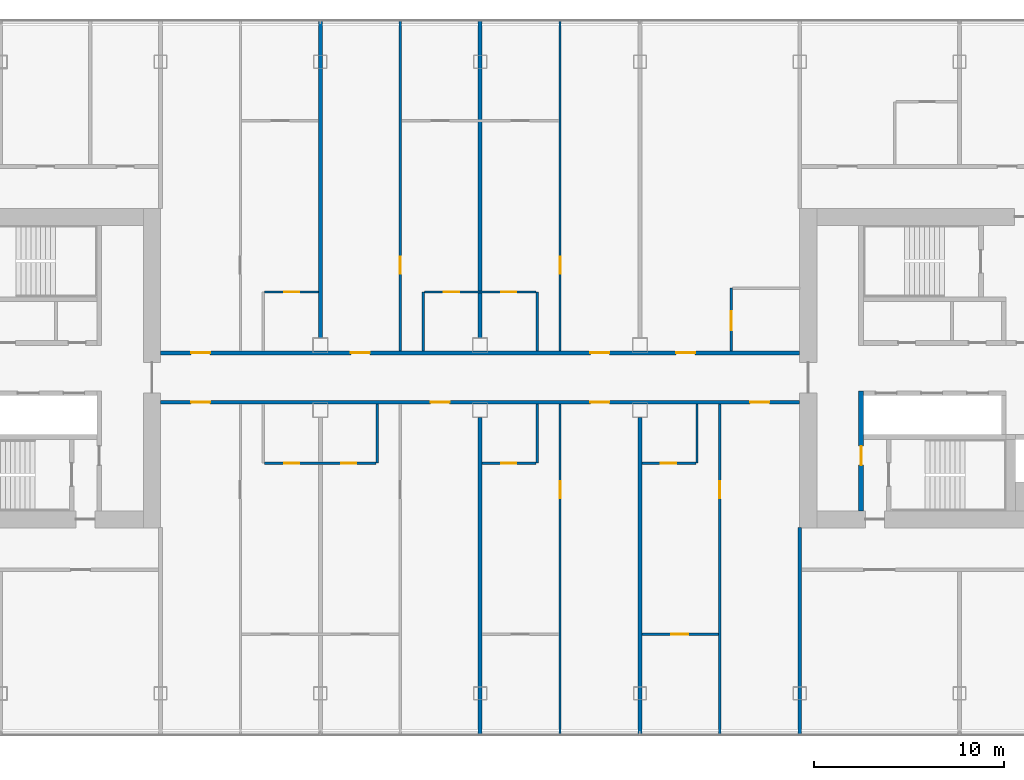
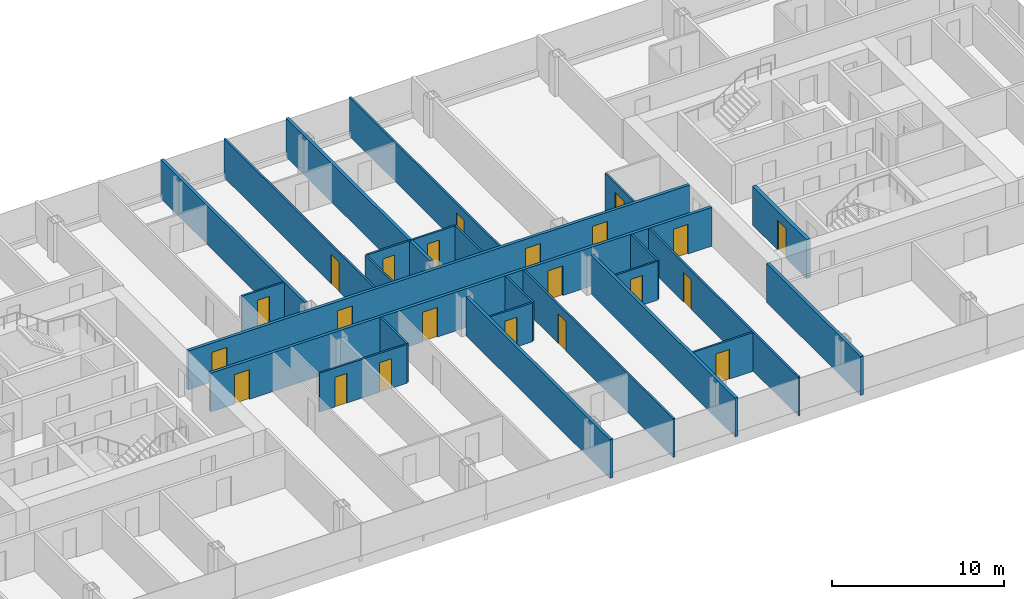
# One storey, part 14 of 26: 24 walls, 22 doors, 22 openings.
"""IFC4 building model written with IfcOpenShell, lengths in metres."""

from ifc_helpers import new_model, si_unit, direction, frame, frame_2d, origin, place, context, subcontext, project, spatial, rectangle, extrude, material, layer, layer_set, type_object, element, fill, save


model = new_model("IFC4")

# Units and contexts
model_context = context("Model", 3, precision=1e-05, world=origin(), true_north=direction((0.0, 1.0)))
body_context = subcontext(model_context, "Body", "Model", "MODEL_VIEW")
ifc_project = project(units=[si_unit("LENGTHUNIT", "METRE"), si_unit("AREAUNIT", "SQUARE_METRE"), si_unit("VOLUMEUNIT", "CUBIC_METRE"), si_unit("PLANEANGLEUNIT", "RADIAN"), si_unit("MASSUNIT", "GRAM", prefix="KILO")], contexts=[model_context])

# Site, building, storey
site_placement = place(None, origin())
site = spatial("IfcSite", under=ifc_project, at=site_placement, CompositionType="ELEMENT")
building_placement = place(site_placement, origin())
building = spatial("IfcBuilding", under=site, at=building_placement, Name="Hakoniwa Tower and Hamabe Station Hall", CompositionType="ELEMENT")
storey_placement = place(building_placement, frame((0.0, 0.0, 159.800048828125)))
storey = spatial("IfcBuildingStorey", under=building, at=storey_placement, Name="L45", CompositionType="ELEMENT", Elevation=159.800048828125)

# Wall, openings, doors
ifc_material_1 = material(Name="Gypsum board partition", Category="gypsum")
ifc_layer_1 = layer(ifc_material_1, 0.125)
ifc_layer_set_1 = layer_set([ifc_layer_1], Name="Bathroom Partition 125")
wall_type_1 = type_object("IfcWallType", Name="Bathroom Partition 125", PredefinedType="PARTITIONING", material=ifc_layer_set_1)
wall_1_placement = place(storey_placement, frame((-11.33740234375, -5.0, 0.0), z_axis=(0.0, 0.0, 1.0), x_axis=(1.0, 0.0, 0.0)))
wall_1 = element("IfcWall", 1, at=wall_1_placement, inside=storey, type_object=wall_type_1, Name="GW-L45-008", PredefinedType="PARTITIONING", context=body_context, shape_type="SweptSolid", body=[
    extrude(rectangle(XDim=5.875, YDim=0.125, at=frame_2d((2.9375, 0.0))), origin(), (0.0, 0.0, 1.0), 2.75),
])
opening_1_placement = place(wall_1_placement, frame((1.03759765625, 0.0, 0.0)))
opening_1 = element("IfcOpeningElement", 2, at=opening_1_placement, cuts=wall_1, Name="Opening GD-G3E1-17", PredefinedType="OPENING", context=body_context, shape_type="SweptSolid", body=[
    extrude(rectangle(XDim=0.800048828125, YDim=2.10009765625, at=frame_2d((0.39990234375, 1.050048828125))), frame((0.0, 0.072509765625, 0.0), z_axis=(0.0, -1.0, 0.0), x_axis=(1.0, 0.0, 0.0)), (0.0, 0.0, 1.0), 0.14501953125),
])
opening_2_placement = place(wall_1_placement, frame((4.03759765625, 0.0, 0.0)))
opening_2 = element("IfcOpeningElement", 3, at=opening_2_placement, cuts=wall_1, Name="Opening GD-G3E1-18", PredefinedType="OPENING", context=body_context, shape_type="SweptSolid", body=[
    extrude(rectangle(XDim=0.800048828125, YDim=2.10009765625, at=frame_2d((0.39990234375, 1.050048828125))), frame((0.0, 0.072509765625, 0.0), z_axis=(0.0, -1.0, 0.0), x_axis=(1.0, 0.0, 0.0)), (0.0, 0.0, 1.0), 0.14501953125),
])
ifc_material_2 = material(Name="Timber door leaf", Category="wood")
door_type_1 = type_object("IfcDoorType", Name="Bathroom Door 800", OperationType="SINGLE_SWING_LEFT", PredefinedType="DOOR", material=ifc_material_2)
door_1_placement = place(opening_1_placement, origin())
door_1 = element("IfcDoor", 4, at=door_1_placement, inside=storey, type_object=door_type_1, Name="Door GD-G3E1-17", OperationType="SINGLE_SWING_RIGHT", OverallHeight=2.10009765625, OverallWidth=0.800048828125, PredefinedType="DOOR", context=body_context, shape_type="SweptSolid", body=[
    extrude(rectangle(XDim=0.800048828125, YDim=2.10009765625, at=frame_2d((0.39990234375, 1.050048828125))), frame((0.0, 0.02490234375, 0.0), z_axis=(0.0, -1.0, 0.0), x_axis=(1.0, 0.0, 0.0)), (0.0, 0.0, 1.0), 0.050048828125),
])
fill(opening_1, door_1)
door_2_placement = place(opening_2_placement, origin())
door_2 = element("IfcDoor", 5, at=door_2_placement, inside=storey, type_object=door_type_1, Name="Door GD-G3E1-18", OperationType="SINGLE_SWING_LEFT", OverallHeight=2.10009765625, OverallWidth=0.800048828125, PredefinedType="DOOR", context=body_context, shape_type="SweptSolid", body=[
    extrude(rectangle(XDim=0.800048828125, YDim=2.10009765625, at=frame_2d((0.39990234375, 1.050048828125))), frame((0.0, 0.02490234375, 0.0), z_axis=(0.0, -1.0, 0.0), x_axis=(1.0, 0.0, 0.0)), (0.0, 0.0, 1.0), 0.050048828125),
])
fill(opening_2, door_2)

# Wall, opening, door
wall_2_placement = place(storey_placement, frame((0.10009765625, -5.0, 0.0), z_axis=(0.0, 0.0, 1.0), x_axis=(1.0, 0.0, 0.0)))
wall_2 = element("IfcWall", 6, at=wall_2_placement, inside=storey, type_object=wall_type_1, Name="GW-L45-009", PredefinedType="PARTITIONING", context=body_context, shape_type="SweptSolid", body=[
    extrude(rectangle(XDim=2.83740234375, YDim=0.125, at=frame_2d((1.418701171875, 0.0))), origin(), (0.0, 0.0, 1.0), 2.75),
])
opening_3_placement = place(wall_2_placement, frame((1.0, 0.0, 0.0)))
opening_3 = element("IfcOpeningElement", 7, at=opening_3_placement, cuts=wall_2, Name="Opening GD-G3E1-19", PredefinedType="OPENING", context=body_context, shape_type="SweptSolid", body=[
    extrude(rectangle(XDim=0.800048828125, YDim=2.10009765625, at=frame_2d((0.39990234375, 1.050048828125))), frame((0.0, 0.072509765625, 0.0), z_axis=(0.0, -1.0, 0.0), x_axis=(1.0, 0.0, 0.0)), (0.0, 0.0, 1.0), 0.14501953125),
])
door_3_placement = place(opening_3_placement, origin())
door_3 = element("IfcDoor", 8, at=door_3_placement, inside=storey, type_object=door_type_1, Name="Door GD-G3E1-19", OperationType="SINGLE_SWING_RIGHT", OverallHeight=2.10009765625, OverallWidth=0.800048828125, PredefinedType="DOOR", context=body_context, shape_type="SweptSolid", body=[
    extrude(rectangle(XDim=0.800048828125, YDim=2.10009765625, at=frame_2d((0.39990234375, 1.050048828125))), frame((0.0, 0.02490234375, 0.0), z_axis=(0.0, -1.0, 0.0), x_axis=(1.0, 0.0, 0.0)), (0.0, 0.0, 1.0), 0.050048828125),
])
fill(opening_3, door_3)

wall_3_placement = place(storey_placement, frame((8.5, -5.0, 0.0), z_axis=(0.0, 0.0, 1.0), x_axis=(1.0, 0.0, 0.0)))
wall_3 = element("IfcWall", 9, at=wall_3_placement, inside=storey, type_object=wall_type_1, Name="GW-L45-010", PredefinedType="PARTITIONING", context=body_context, shape_type="SweptSolid", body=[
    extrude(rectangle(XDim=2.83740234375, YDim=0.125, at=frame_2d((1.418701171875, 0.0))), origin(), (0.0, 0.0, 1.0), 2.75),
])
opening_4_placement = place(wall_3_placement, frame((1.0, 0.0, 0.0)))
opening_4 = element("IfcOpeningElement", 10, at=opening_4_placement, cuts=wall_3, Name="Opening GD-G3E1-20", PredefinedType="OPENING", context=body_context, shape_type="SweptSolid", body=[
    extrude(rectangle(XDim=0.800048828125, YDim=2.10009765625, at=frame_2d((0.39990234375, 1.050048828125))), frame((0.0, 0.072509765625, 0.0), z_axis=(0.0, -1.0, 0.0), x_axis=(1.0, 0.0, 0.0)), (0.0, 0.0, 1.0), 0.14501953125),
])
door_4_placement = place(opening_4_placement, origin())
door_4 = element("IfcDoor", 11, at=door_4_placement, inside=storey, type_object=door_type_1, Name="Door GD-G3E1-20", OperationType="SINGLE_SWING_RIGHT", OverallHeight=2.10009765625, OverallWidth=0.800048828125, PredefinedType="DOOR", context=body_context, shape_type="SweptSolid", body=[
    extrude(rectangle(XDim=0.800048828125, YDim=2.10009765625, at=frame_2d((0.39990234375, 1.050048828125))), frame((0.0, 0.02490234375, 0.0), z_axis=(0.0, -1.0, 0.0), x_axis=(1.0, 0.0, 0.0)), (0.0, 0.0, 1.0), 0.050048828125),
])
fill(opening_4, door_4)

wall_4_placement = place(storey_placement, frame((-11.33740234375, 4.0, 0.0), z_axis=(0.0, 0.0, 1.0), x_axis=(1.0, 0.0, 0.0)))
wall_4 = element("IfcWall", 12, at=wall_4_placement, inside=storey, type_object=wall_type_1, Name="GW-L45-015", PredefinedType="PARTITIONING", context=body_context, shape_type="SweptSolid", body=[
    extrude(rectangle(XDim=2.83740234375, YDim=0.125, at=frame_2d((1.418701171875, 0.0))), origin(), (0.0, 0.0, 1.0), 2.75),
])
opening_5_placement = place(wall_4_placement, frame((1.03759765625, 0.0, 0.0)))
opening_5 = element("IfcOpeningElement", 13, at=opening_5_placement, cuts=wall_4, Name="Opening GD-G3E1-29", PredefinedType="OPENING", context=body_context, shape_type="SweptSolid", body=[
    extrude(rectangle(XDim=0.800048828125, YDim=2.10009765625, at=frame_2d((0.39990234375, 1.050048828125))), frame((0.0, 0.072509765625, 0.0), z_axis=(0.0, -1.0, 0.0), x_axis=(1.0, 0.0, 0.0)), (0.0, 0.0, 1.0), 0.14501953125),
])
door_5_placement = place(opening_5_placement, origin())
door_5 = element("IfcDoor", 14, at=door_5_placement, inside=storey, type_object=door_type_1, Name="Door GD-G3E1-29", OperationType="SINGLE_SWING_RIGHT", OverallHeight=2.10009765625, OverallWidth=0.800048828125, PredefinedType="DOOR", context=body_context, shape_type="SweptSolid", body=[
    extrude(rectangle(XDim=0.800048828125, YDim=2.10009765625, at=frame_2d((0.39990234375, 1.050048828125))), frame((0.0, 0.02490234375, 0.0), z_axis=(0.0, -1.0, 0.0), x_axis=(1.0, 0.0, 0.0)), (0.0, 0.0, 1.0), 0.050048828125),
])
fill(opening_5, door_5)

# Wall, openings, doors
wall_5_placement = place(storey_placement, frame((-2.9375, 4.0, 0.0), z_axis=(0.0, 0.0, 1.0), x_axis=(1.0, 0.0, 0.0)))
wall_5 = element("IfcWall", 15, at=wall_5_placement, inside=storey, type_object=wall_type_1, Name="GW-L45-016", PredefinedType="PARTITIONING", context=body_context, shape_type="SweptSolid", body=[
    extrude(rectangle(XDim=5.875, YDim=0.125, at=frame_2d((2.9375, 0.0))), origin(), (0.0, 0.0, 1.0), 2.75),
])
opening_6_placement = place(wall_5_placement, frame((1.03759765625, 0.0, 0.0)))
opening_6 = element("IfcOpeningElement", 16, at=opening_6_placement, cuts=wall_5, Name="Opening GD-G3E1-30", PredefinedType="OPENING", context=body_context, shape_type="SweptSolid", body=[
    extrude(rectangle(XDim=0.800048828125, YDim=2.10009765625, at=frame_2d((0.39990234375, 1.050048828125))), frame((0.0, 0.072509765625, 0.0), z_axis=(0.0, -1.0, 0.0), x_axis=(1.0, 0.0, 0.0)), (0.0, 0.0, 1.0), 0.14501953125),
])
opening_7_placement = place(wall_5_placement, frame((4.03759765625, 0.0, 0.0)))
opening_7 = element("IfcOpeningElement", 17, at=opening_7_placement, cuts=wall_5, Name="Opening GD-G3E1-31", PredefinedType="OPENING", context=body_context, shape_type="SweptSolid", body=[
    extrude(rectangle(XDim=0.800048828125, YDim=2.10009765625, at=frame_2d((0.39990234375, 1.050048828125))), frame((0.0, 0.072509765625, 0.0), z_axis=(0.0, -1.0, 0.0), x_axis=(1.0, 0.0, 0.0)), (0.0, 0.0, 1.0), 0.14501953125),
])
door_6_placement = place(opening_6_placement, origin())
door_6 = element("IfcDoor", 18, at=door_6_placement, inside=storey, type_object=door_type_1, Name="Door GD-G3E1-30", OperationType="SINGLE_SWING_RIGHT", OverallHeight=2.10009765625, OverallWidth=0.800048828125, PredefinedType="DOOR", context=body_context, shape_type="SweptSolid", body=[
    extrude(rectangle(XDim=0.800048828125, YDim=2.10009765625, at=frame_2d((0.39990234375, 1.050048828125))), frame((0.0, 0.02490234375, 0.0), z_axis=(0.0, -1.0, 0.0), x_axis=(1.0, 0.0, 0.0)), (0.0, 0.0, 1.0), 0.050048828125),
])
fill(opening_6, door_6)
door_7_placement = place(opening_7_placement, origin())
door_7 = element("IfcDoor", 19, at=door_7_placement, inside=storey, type_object=door_type_1, Name="Door GD-G3E1-31", OperationType="SINGLE_SWING_LEFT", OverallHeight=2.10009765625, OverallWidth=0.800048828125, PredefinedType="DOOR", context=body_context, shape_type="SweptSolid", body=[
    extrude(rectangle(XDim=0.800048828125, YDim=2.10009765625, at=frame_2d((0.39990234375, 1.050048828125))), frame((0.0, 0.02490234375, 0.0), z_axis=(0.0, -1.0, 0.0), x_axis=(1.0, 0.0, 0.0)), (0.0, 0.0, 1.0), 0.050048828125),
])
fill(opening_7, door_7)

# Walls
for number, where, z_axis, x_axis, name in (
    (20, (-5.39990234375, -5.0, 0.0), (0.0, 0.0, 1.0), (0.0, 1.0, 0.0), "GW-L45-045"),
    (21, (-3.0, 0.89990234375, 0.0), (0.0, 0.0, 1.0), (0.0, 1.0, 0.0), "GW-L45-048"),
    (22, (3.0, -5.0, 0.0), (0.0, 0.0, 1.0), (0.0, 1.0, 0.0), "GW-L45-051"),
    (23, (3.0, 0.89990234375, 0.0), (0.0, 0.0, 1.0), (0.0, 1.0, 0.0), "GW-L45-052"),
    (24, (11.39990234375, -5.0, 0.0), (0.0, 0.0, 1.0), (0.0, 1.0, 0.0), "GW-L45-057"),
):
    element("IfcWall", number, at=place(storey_placement, frame(where, z_axis=z_axis, x_axis=x_axis)), inside=storey, type_object=wall_type_1, Name=name, PredefinedType="PARTITIONING", context=body_context, shape_type="SweptSolid", body=[
        extrude(rectangle(XDim=3.10009765625, YDim=0.125, at=frame_2d((1.550048828125, 0.0))), origin(), (0.0, 0.0, 1.0), 2.75),
    ])

# Wall, opening, door
wall_6_placement = place(storey_placement, frame((13.199951171875, 0.89990234375, 0.0), z_axis=(0.0, 0.0, 1.0), x_axis=(0.0, 1.0, 0.0)))
wall_6 = element("IfcWall", 25, at=wall_6_placement, inside=storey, type_object=wall_type_1, Name="GW-L45-059", PredefinedType="PARTITIONING", context=body_context, shape_type="SweptSolid", body=[
    extrude(rectangle(XDim=3.300048828125, YDim=0.125, at=frame_2d((1.64990234375, 0.0))), origin(), (0.0, 0.0, 1.0), 2.75),
])
opening_8_placement = place(wall_6_placement, frame((1.10009765625, 0.0, 0.0)))
opening_8 = element("IfcOpeningElement", 26, at=opening_8_placement, cuts=wall_6, Name="Opening GD-G3E1-57", PredefinedType="OPENING", context=body_context, shape_type="SweptSolid", body=[
    extrude(rectangle(XDim=1.0, YDim=2.10009765625, at=frame_2d((0.5, 1.050048828125))), frame((0.0, 0.072509765625, 0.0), z_axis=(0.0, -1.0, 0.0), x_axis=(1.0, 0.0, 0.0)), (0.0, 0.0, 1.0), 0.14501953125),
])
ifc_material_3 = material(Name="Timber door leaf", Category="wood")
door_type_2 = type_object("IfcDoorType", Name="Accessible Bathroom Door 1000", OperationType="SINGLE_SWING_LEFT", PredefinedType="DOOR", material=ifc_material_3)
door_8_placement = place(opening_8_placement, origin())
door_8 = element("IfcDoor", 27, at=door_8_placement, inside=storey, type_object=door_type_2, Name="Door GD-G3E1-57", OperationType="SINGLE_SWING_LEFT", OverallHeight=2.10009765625, OverallWidth=1.0, PredefinedType="DOOR", context=body_context, shape_type="SweptSolid", body=[
    extrude(rectangle(XDim=1.0, YDim=2.10009765625, at=frame_2d((0.5, 1.050048828125))), frame((0.0, 0.02490234375, 0.0), z_axis=(0.0, -1.0, 0.0), x_axis=(1.0, 0.0, 0.0)), (0.0, 0.0, 1.0), 0.050048828125),
])
fill(opening_8, door_8)

ifc_material_4 = material(Name="Concrete C66", Category="concrete")
ifc_layer_2 = layer(ifc_material_4, 0.25)
ifc_layer_set_2 = layer_set([ifc_layer_2], Name="CORE WEB WALL 250 C66")
wall_type_2 = type_object("IfcWallType", Name="CORE WEB WALL 250 C66", PredefinedType="SHEAR", material=ifc_layer_set_2)
wall_7_placement = place(storey_placement, frame((20.02490234375, -7.5, 0.0), z_axis=(0.0, 0.0, 1.0), x_axis=(0.0, 1.0, 0.0)))
wall_7 = element("IfcWall", 28, at=wall_7_placement, inside=storey, type_object=wall_type_2, Name="Core wall W1S east", PredefinedType="SHEAR", context=body_context, shape_type="SweptSolid", body=[
    extrude(rectangle(XDim=6.300048828125, YDim=0.25, at=frame_2d((3.14990234375, 0.0))), origin(), (0.0, 0.0, 1.0), 2.75),
])
opening_9_placement = place(wall_7_placement, frame((2.39990234375, 0.0, 0.0)))
opening_9 = element("IfcOpeningElement", 29, at=opening_9_placement, cuts=wall_7, Name="Opening CD-E-VS-10", PredefinedType="OPENING", context=body_context, shape_type="SweptSolid", body=[
    extrude(rectangle(XDim=1.0, YDim=2.10009765625, at=frame_2d((0.5, 1.050048828125))), frame((0.0, 0.135009765625, 0.0), z_axis=(0.0, -1.0, 0.0), x_axis=(1.0, 0.0, 0.0)), (0.0, 0.0, 1.0), 0.27001953125),
])
ifc_material_5 = material(Name="Steel fire door", Category="steel")
door_type_3 = type_object("IfcDoorType", Name="CORE DOOR 1000 FD60", OperationType="NOTDEFINED", PredefinedType="DOOR", material=ifc_material_5)
door_9_placement = place(opening_9_placement, origin())
door_9 = element("IfcDoor", 30, at=door_9_placement, inside=storey, type_object=door_type_3, Name="Stair vestibule door", OperationType="SINGLE_SWING_RIGHT", OverallHeight=2.10009765625, OverallWidth=1.0, PredefinedType="DOOR", context=body_context, shape_type="SweptSolid", body=[
    extrude(rectangle(XDim=1.0, YDim=2.10009765625, at=frame_2d((0.5, 1.050048828125))), frame((0.0, 0.02490234375, 0.0), z_axis=(0.0, -1.0, 0.0), x_axis=(1.0, 0.0, 0.0)), (0.0, 0.0, 1.0), 0.050048828125),
])
fill(opening_9, door_9)

# Wall, openings, doors
ifc_material_6 = material(Name="Fire-rated gypsum board partition", Category="gypsum")
ifc_layer_3 = layer(ifc_material_6, 0.199951171875)
ifc_layer_set_3 = layer_set([ifc_layer_3], Name="Corridor Wall 200")
wall_type_3 = type_object("IfcWallType", Name="Corridor Wall 200", PredefinedType="PARTITIONING", material=ifc_layer_set_3)
wall_8_placement = place(storey_placement, frame((-16.800048828125, -1.800048828125, 0.0), z_axis=(0.0, 0.0, 1.0), x_axis=(1.0, 0.0, 0.0)))
wall_8 = element("IfcWall", 31, at=wall_8_placement, inside=storey, type_object=wall_type_3, Name="GW-L45-011", PredefinedType="PARTITIONING", context=body_context, shape_type="SweptSolid", body=[
    extrude(rectangle(XDim=33.60009765625, YDim=0.199951171875, at=frame_2d((16.800048828125, 0.0))), origin(), (0.0, 0.0, 1.0), 2.75),
])
opening_10_placement = place(wall_8_placement, frame((1.60009765625, 0.0, 0.0)))
opening_10 = element("IfcOpeningElement", 32, at=opening_10_placement, cuts=wall_8, Name="Opening GD-G3E1-21", PredefinedType="OPENING", context=body_context, shape_type="SweptSolid", body=[
    extrude(rectangle(XDim=1.0, YDim=2.10009765625, at=frame_2d((0.5, 1.050048828125))), frame((0.0, 0.10986328125, 0.0), z_axis=(0.0, -1.0, 0.0), x_axis=(1.0, 0.0, 0.0)), (0.0, 0.0, 1.0), 0.219970703125),
])
opening_11_placement = place(wall_8_placement, frame((14.199951171875, 0.0, 0.0)))
opening_11 = element("IfcOpeningElement", 33, at=opening_11_placement, cuts=wall_8, Name="Opening GD-G3E1-22", PredefinedType="OPENING", context=body_context, shape_type="SweptSolid", body=[
    extrude(rectangle(XDim=1.0, YDim=2.10009765625, at=frame_2d((0.5, 1.050048828125))), frame((0.0, 0.10986328125, 0.0), z_axis=(0.0, -1.0, 0.0), x_axis=(1.0, 0.0, 0.0)), (0.0, 0.0, 1.0), 0.219970703125),
])
opening_12_placement = place(wall_8_placement, frame((22.60009765625, 0.0, 0.0)))
opening_12 = element("IfcOpeningElement", 34, at=opening_12_placement, cuts=wall_8, Name="Opening GD-G3E1-23", PredefinedType="OPENING", context=body_context, shape_type="SweptSolid", body=[
    extrude(rectangle(XDim=1.0, YDim=2.10009765625, at=frame_2d((0.5, 1.050048828125))), frame((0.0, 0.10986328125, 0.0), z_axis=(0.0, -1.0, 0.0), x_axis=(1.0, 0.0, 0.0)), (0.0, 0.0, 1.0), 0.219970703125),
])
opening_13_placement = place(wall_8_placement, frame((31.0, 0.0, 0.0)))
opening_13 = element("IfcOpeningElement", 35, at=opening_13_placement, cuts=wall_8, Name="Opening GD-G3E1-24", PredefinedType="OPENING", context=body_context, shape_type="SweptSolid", body=[
    extrude(rectangle(XDim=1.0, YDim=2.10009765625, at=frame_2d((0.5, 1.050048828125))), frame((0.0, 0.10986328125, 0.0), z_axis=(0.0, -1.0, 0.0), x_axis=(1.0, 0.0, 0.0)), (0.0, 0.0, 1.0), 0.219970703125),
])
ifc_material_7 = material(Name="Timber door leaf", Category="wood")
door_type_4 = type_object("IfcDoorType", Name="Guest Entrance Door 1000", OperationType="SINGLE_SWING_LEFT", PredefinedType="DOOR", material=ifc_material_7)
door_10_placement = place(opening_10_placement, origin())
door_10 = element("IfcDoor", 36, at=door_10_placement, inside=storey, type_object=door_type_4, Name="Door GD-G3E1-21", OperationType="SINGLE_SWING_RIGHT", OverallHeight=2.10009765625, OverallWidth=1.0, PredefinedType="DOOR", context=body_context, shape_type="SweptSolid", body=[
    extrude(rectangle(XDim=1.0, YDim=2.10009765625, at=frame_2d((0.5, 1.050048828125))), frame((0.0, 0.02490234375, 0.0), z_axis=(0.0, -1.0, 0.0), x_axis=(1.0, 0.0, 0.0)), (0.0, 0.0, 1.0), 0.050048828125),
])
fill(opening_10, door_10)
door_11_placement = place(opening_11_placement, origin())
door_11 = element("IfcDoor", 37, at=door_11_placement, inside=storey, type_object=door_type_4, Name="Door GD-G3E1-22", OperationType="SINGLE_SWING_LEFT", OverallHeight=2.10009765625, OverallWidth=1.0, PredefinedType="DOOR", context=body_context, shape_type="SweptSolid", body=[
    extrude(rectangle(XDim=1.0, YDim=2.10009765625, at=frame_2d((0.5, 1.050048828125))), frame((0.0, 0.02490234375, 0.0), z_axis=(0.0, -1.0, 0.0), x_axis=(1.0, 0.0, 0.0)), (0.0, 0.0, 1.0), 0.050048828125),
])
fill(opening_11, door_11)
door_12_placement = place(opening_12_placement, origin())
door_12 = element("IfcDoor", 38, at=door_12_placement, inside=storey, type_object=door_type_4, Name="Door GD-G3E1-23", OperationType="SINGLE_SWING_LEFT", OverallHeight=2.10009765625, OverallWidth=1.0, PredefinedType="DOOR", context=body_context, shape_type="SweptSolid", body=[
    extrude(rectangle(XDim=1.0, YDim=2.10009765625, at=frame_2d((0.5, 1.050048828125))), frame((0.0, 0.02490234375, 0.0), z_axis=(0.0, -1.0, 0.0), x_axis=(1.0, 0.0, 0.0)), (0.0, 0.0, 1.0), 0.050048828125),
])
fill(opening_12, door_12)
door_13_placement = place(opening_13_placement, origin())
door_13 = element("IfcDoor", 39, at=door_13_placement, inside=storey, type_object=door_type_4, Name="Door GD-G3E1-24", OperationType="SINGLE_SWING_LEFT", OverallHeight=2.10009765625, OverallWidth=1.0, PredefinedType="DOOR", context=body_context, shape_type="SweptSolid", body=[
    extrude(rectangle(XDim=1.0, YDim=2.10009765625, at=frame_2d((0.5, 1.050048828125))), frame((0.0, 0.02490234375, 0.0), z_axis=(0.0, -1.0, 0.0), x_axis=(1.0, 0.0, 0.0)), (0.0, 0.0, 1.0), 0.050048828125),
])
fill(opening_13, door_13)

wall_9_placement = place(storey_placement, frame((-16.800048828125, 0.800048828125, 0.0), z_axis=(0.0, 0.0, 1.0), x_axis=(1.0, 0.0, 0.0)))
wall_9 = element("IfcWall", 40, at=wall_9_placement, inside=storey, type_object=wall_type_3, Name="GW-L45-014", PredefinedType="PARTITIONING", context=body_context, shape_type="SweptSolid", body=[
    extrude(rectangle(XDim=33.60009765625, YDim=0.199951171875, at=frame_2d((16.800048828125, 0.0))), origin(), (0.0, 0.0, 1.0), 2.75),
])
opening_14_placement = place(wall_9_placement, frame((1.60009765625, 0.0, 0.0)))
opening_14 = element("IfcOpeningElement", 41, at=opening_14_placement, cuts=wall_9, Name="Opening GD-G3E1-25", PredefinedType="OPENING", context=body_context, shape_type="SweptSolid", body=[
    extrude(rectangle(XDim=1.0, YDim=2.10009765625, at=frame_2d((0.5, 1.050048828125))), frame((0.0, 0.10986328125, 0.0), z_axis=(0.0, -1.0, 0.0), x_axis=(1.0, 0.0, 0.0)), (0.0, 0.0, 1.0), 0.219970703125),
])
opening_15_placement = place(wall_9_placement, frame((10.0, 0.0, 0.0)))
opening_15 = element("IfcOpeningElement", 42, at=opening_15_placement, cuts=wall_9, Name="Opening GD-G3E1-26", PredefinedType="OPENING", context=body_context, shape_type="SweptSolid", body=[
    extrude(rectangle(XDim=1.0, YDim=2.10009765625, at=frame_2d((0.5, 1.050048828125))), frame((0.0, 0.10986328125, 0.0), z_axis=(0.0, -1.0, 0.0), x_axis=(1.0, 0.0, 0.0)), (0.0, 0.0, 1.0), 0.219970703125),
])
opening_16_placement = place(wall_9_placement, frame((22.60009765625, 0.0, 0.0)))
opening_16 = element("IfcOpeningElement", 43, at=opening_16_placement, cuts=wall_9, Name="Opening GD-G3E1-27", PredefinedType="OPENING", context=body_context, shape_type="SweptSolid", body=[
    extrude(rectangle(XDim=1.0, YDim=2.10009765625, at=frame_2d((0.5, 1.050048828125))), frame((0.0, 0.10986328125, 0.0), z_axis=(0.0, -1.0, 0.0), x_axis=(1.0, 0.0, 0.0)), (0.0, 0.0, 1.0), 0.219970703125),
])
opening_17_placement = place(wall_9_placement, frame((27.10009765625, 0.0, 0.0)))
opening_17 = element("IfcOpeningElement", 44, at=opening_17_placement, cuts=wall_9, Name="Opening GD-G3E1-28", PredefinedType="OPENING", context=body_context, shape_type="SweptSolid", body=[
    extrude(rectangle(XDim=1.0, YDim=2.10009765625, at=frame_2d((0.5, 1.050048828125))), frame((0.0, 0.10986328125, 0.0), z_axis=(0.0, -1.0, 0.0), x_axis=(1.0, 0.0, 0.0)), (0.0, 0.0, 1.0), 0.219970703125),
])
ifc_material_8 = material(Name="Timber door leaf", Category="wood")
door_type_5 = type_object("IfcDoorType", Name="Accessible Guest Entrance Door 1000", OperationType="SINGLE_SWING_LEFT", PredefinedType="DOOR", material=ifc_material_8)
door_14_placement = place(opening_17_placement, origin())
door_14 = element("IfcDoor", 45, at=door_14_placement, inside=storey, type_object=door_type_5, Name="Door GD-G3E1-28", OperationType="SINGLE_SWING_RIGHT", OverallHeight=2.10009765625, OverallWidth=1.0, PredefinedType="DOOR", context=body_context, shape_type="SweptSolid", body=[
    extrude(rectangle(XDim=1.0, YDim=2.10009765625, at=frame_2d((0.5, 1.050048828125))), frame((0.0, 0.02490234375, 0.0), z_axis=(0.0, -1.0, 0.0), x_axis=(1.0, 0.0, 0.0)), (0.0, 0.0, 1.0), 0.050048828125),
])
fill(opening_17, door_14)
door_15_placement = place(opening_14_placement, origin())
door_15 = element("IfcDoor", 46, at=door_15_placement, inside=storey, type_object=door_type_4, Name="Door GD-G3E1-25", OperationType="SINGLE_SWING_LEFT", OverallHeight=2.10009765625, OverallWidth=1.0, PredefinedType="DOOR", context=body_context, shape_type="SweptSolid", body=[
    extrude(rectangle(XDim=1.0, YDim=2.10009765625, at=frame_2d((0.5, 1.050048828125))), frame((0.0, 0.02490234375, 0.0), z_axis=(0.0, -1.0, 0.0), x_axis=(1.0, 0.0, 0.0)), (0.0, 0.0, 1.0), 0.050048828125),
])
fill(opening_14, door_15)
door_16_placement = place(opening_15_placement, origin())
door_16 = element("IfcDoor", 47, at=door_16_placement, inside=storey, type_object=door_type_4, Name="Door GD-G3E1-26", OperationType="SINGLE_SWING_LEFT", OverallHeight=2.10009765625, OverallWidth=1.0, PredefinedType="DOOR", context=body_context, shape_type="SweptSolid", body=[
    extrude(rectangle(XDim=1.0, YDim=2.10009765625, at=frame_2d((0.5, 1.050048828125))), frame((0.0, 0.02490234375, 0.0), z_axis=(0.0, -1.0, 0.0), x_axis=(1.0, 0.0, 0.0)), (0.0, 0.0, 1.0), 0.050048828125),
])
fill(opening_15, door_16)
door_17_placement = place(opening_16_placement, origin())
door_17 = element("IfcDoor", 48, at=door_17_placement, inside=storey, type_object=door_type_4, Name="Door GD-G3E1-27", OperationType="SINGLE_SWING_RIGHT", OverallHeight=2.10009765625, OverallWidth=1.0, PredefinedType="DOOR", context=body_context, shape_type="SweptSolid", body=[
    extrude(rectangle(XDim=1.0, YDim=2.10009765625, at=frame_2d((0.5, 1.050048828125))), frame((0.0, 0.02490234375, 0.0), z_axis=(0.0, -1.0, 0.0), x_axis=(1.0, 0.0, 0.0)), (0.0, 0.0, 1.0), 0.050048828125),
])
fill(opening_16, door_17)

# Walls
ifc_material_9 = material(Name="Fire-rated gypsum board partition", Category="gypsum")
ifc_layer_4 = layer(ifc_material_9, 0.199951171875)
ifc_layer_set_4 = layer_set([ifc_layer_4], Name="Party Wall 200")
wall_type_4 = type_object("IfcWallType", Name="Party Wall 200", PredefinedType="PARTITIONING", material=ifc_layer_set_4)
for number, where, z_axis, x_axis, name in (
    (49, (-8.39990234375, 1.590087890625, 0.0), (0.0, 0.0, 1.0), (0.0, 1.0, 0.0), "GW-L45-044"),
    (50, (0.0, -19.300048828125, 0.0), (0.0, 0.0, 1.0), (0.0, 1.0, 0.0), "GW-L45-049"),
    (51, (0.0, 1.590087890625, 0.0), (0.0, 0.0, 1.0), (0.0, 1.0, 0.0), "GW-L45-050"),
    (52, (8.39990234375, -19.300048828125, 0.0), (0.0, 0.0, 1.0), (0.0, 1.0, 0.0), "GW-L45-055"),
):
    element("IfcWall", number, at=place(storey_placement, frame(where, z_axis=z_axis, x_axis=x_axis)), inside=storey, type_object=wall_type_4, Name=name, PredefinedType="PARTITIONING", context=body_context, shape_type="SweptSolid", body=[
        extrude(rectangle(XDim=16.7099609375, YDim=0.199951171875, at=frame_2d((8.35498046875, 0.0))), origin(), (0.0, 0.0, 1.0), 2.75),
    ])
wall_10_placement = place(storey_placement, frame((16.800048828125, -19.300048828125, 0.0), z_axis=(0.0, 0.0, 1.0), x_axis=(0.0, 1.0, 0.0)))
element("IfcWall", 53, at=wall_10_placement, inside=storey, type_object=wall_type_4, Name="GW-L45-060", PredefinedType="PARTITIONING", context=body_context, shape_type="SweptSolid", body=[
    extrude(rectangle(XDim=10.91015625, YDim=0.199951171875, at=frame_2d((5.455078125, 0.0))), origin(), (0.0, 0.0, 1.0), 2.75),
])

# Wall, opening, door
ifc_material_10 = material(Name="Gypsum board partition", Category="gypsum")
ifc_layer_5 = layer(ifc_material_10, 0.125)
ifc_layer_set_5 = layer_set([ifc_layer_5], Name="Room Partition 125")
wall_type_5 = type_object("IfcWallType", Name="Room Partition 125", PredefinedType="PARTITIONING", material=ifc_layer_set_5)
wall_11_placement = place(storey_placement, frame((8.5, -14.0, 0.0), z_axis=(0.0, 0.0, 1.0), x_axis=(1.0, 0.0, 0.0)))
wall_11 = element("IfcWall", 54, at=wall_11_placement, inside=storey, type_object=wall_type_5, Name="GW-L45-003", PredefinedType="PARTITIONING", context=body_context, shape_type="SweptSolid", body=[
    extrude(rectangle(XDim=4.03759765625, YDim=0.125, at=frame_2d((2.018798828125, 0.0))), origin(), (0.0, 0.0, 1.0), 2.75),
])
opening_18_placement = place(wall_11_placement, frame((1.550048828125, 0.0, 0.0)))
opening_18 = element("IfcOpeningElement", 55, at=opening_18_placement, cuts=wall_11, Name="Opening GD-G3E1-04", PredefinedType="OPENING", context=body_context, shape_type="SweptSolid", body=[
    extrude(rectangle(XDim=0.89990234375, YDim=2.10009765625, at=frame_2d((0.449951171875, 1.050048828125))), frame((0.0, 0.072509765625, 0.0), z_axis=(0.0, -1.0, 0.0), x_axis=(1.0, 0.0, 0.0)), (0.0, 0.0, 1.0), 0.14501953125),
])
ifc_material_11 = material(Name="Timber door leaf", Category="wood")
door_type_6 = type_object("IfcDoorType", Name="Suite Interior Door 900", OperationType="SINGLE_SWING_LEFT", PredefinedType="DOOR", material=ifc_material_11)
door_18_placement = place(opening_18_placement, origin())
door_18 = element("IfcDoor", 56, at=door_18_placement, inside=storey, type_object=door_type_6, Name="Door GD-G3E1-04", OperationType="SINGLE_SWING_LEFT", OverallHeight=2.10009765625, OverallWidth=0.89990234375, PredefinedType="DOOR", context=body_context, shape_type="SweptSolid", body=[
    extrude(rectangle(XDim=0.89990234375, YDim=2.10009765625, at=frame_2d((0.449951171875, 1.050048828125))), frame((0.0, 0.02490234375, 0.0), z_axis=(0.0, -1.0, 0.0), x_axis=(1.0, 0.0, 0.0)), (0.0, 0.0, 1.0), 0.050048828125),
])
fill(opening_18, door_18)

wall_12_placement = place(storey_placement, frame((-4.199951171875, 0.89990234375, 0.0), z_axis=(0.0, 0.0, 1.0), x_axis=(0.0, 1.0, 0.0)))
wall_12 = element("IfcWall", 57, at=wall_12_placement, inside=storey, type_object=wall_type_5, Name="GW-L45-047", PredefinedType="PARTITIONING", context=body_context, shape_type="SweptSolid", body=[
    extrude(rectangle(XDim=17.400146484375, YDim=0.125, at=frame_2d((8.7001953125, 0.0))), origin(), (0.0, 0.0, 1.0), 2.75),
])
opening_19_placement = place(wall_12_placement, frame((4.050048828125, 0.0, 0.0)))
opening_19 = element("IfcOpeningElement", 58, at=opening_19_placement, cuts=wall_12, Name="Opening GD-G3E1-53", PredefinedType="OPENING", context=body_context, shape_type="SweptSolid", body=[
    extrude(rectangle(XDim=0.89990234375, YDim=2.10009765625, at=frame_2d((0.449951171875, 1.050048828125))), frame((0.0, 0.072509765625, 0.0), z_axis=(0.0, -1.0, 0.0), x_axis=(1.0, 0.0, 0.0)), (0.0, 0.0, 1.0), 0.14501953125),
])
door_19_placement = place(opening_19_placement, origin())
door_19 = element("IfcDoor", 59, at=door_19_placement, inside=storey, type_object=door_type_6, Name="Door GD-G3E1-53", OperationType="SINGLE_SWING_LEFT", OverallHeight=2.10009765625, OverallWidth=0.89990234375, PredefinedType="DOOR", context=body_context, shape_type="SweptSolid", body=[
    extrude(rectangle(XDim=0.89990234375, YDim=2.10009765625, at=frame_2d((0.449951171875, 1.050048828125))), frame((0.0, 0.02490234375, 0.0), z_axis=(0.0, -1.0, 0.0), x_axis=(1.0, 0.0, 0.0)), (0.0, 0.0, 1.0), 0.050048828125),
])
fill(opening_19, door_19)

wall_13_placement = place(storey_placement, frame((4.199951171875, -19.300048828125, 0.0), z_axis=(0.0, 0.0, 1.0), x_axis=(0.0, 1.0, 0.0)))
wall_13 = element("IfcWall", 60, at=wall_13_placement, inside=storey, type_object=wall_type_5, Name="GW-L45-053", PredefinedType="PARTITIONING", context=body_context, shape_type="SweptSolid", body=[
    extrude(rectangle(XDim=17.400146484375, YDim=0.125, at=frame_2d((8.7001953125, 0.0))), origin(), (0.0, 0.0, 1.0), 2.75),
])
opening_20_placement = place(wall_13_placement, frame((12.449951171875, 0.0, 0.0)))
opening_20 = element("IfcOpeningElement", 61, at=opening_20_placement, cuts=wall_13, Name="Opening GD-G3E1-54", PredefinedType="OPENING", context=body_context, shape_type="SweptSolid", body=[
    extrude(rectangle(XDim=0.89990234375, YDim=2.10009765625, at=frame_2d((0.449951171875, 1.050048828125))), frame((0.0, 0.072509765625, 0.0), z_axis=(0.0, -1.0, 0.0), x_axis=(1.0, 0.0, 0.0)), (0.0, 0.0, 1.0), 0.14501953125),
])
door_20_placement = place(opening_20_placement, origin())
door_20 = element("IfcDoor", 62, at=door_20_placement, inside=storey, type_object=door_type_6, Name="Door GD-G3E1-54", OperationType="SINGLE_SWING_LEFT", OverallHeight=2.10009765625, OverallWidth=0.89990234375, PredefinedType="DOOR", context=body_context, shape_type="SweptSolid", body=[
    extrude(rectangle(XDim=0.89990234375, YDim=2.10009765625, at=frame_2d((0.449951171875, 1.050048828125))), frame((0.0, 0.02490234375, 0.0), z_axis=(0.0, -1.0, 0.0), x_axis=(1.0, 0.0, 0.0)), (0.0, 0.0, 1.0), 0.050048828125),
])
fill(opening_20, door_20)

wall_14_placement = place(storey_placement, frame((4.199951171875, 0.89990234375, 0.0), z_axis=(0.0, 0.0, 1.0), x_axis=(0.0, 1.0, 0.0)))
wall_14 = element("IfcWall", 63, at=wall_14_placement, inside=storey, type_object=wall_type_5, Name="GW-L45-054", PredefinedType="PARTITIONING", context=body_context, shape_type="SweptSolid", body=[
    extrude(rectangle(XDim=17.400146484375, YDim=0.125, at=frame_2d((8.7001953125, 0.0))), origin(), (0.0, 0.0, 1.0), 2.75),
])
opening_21_placement = place(wall_14_placement, frame((4.050048828125, 0.0, 0.0)))
opening_21 = element("IfcOpeningElement", 64, at=opening_21_placement, cuts=wall_14, Name="Opening GD-G3E1-55", PredefinedType="OPENING", context=body_context, shape_type="SweptSolid", body=[
    extrude(rectangle(XDim=0.89990234375, YDim=2.10009765625, at=frame_2d((0.449951171875, 1.050048828125))), frame((0.0, 0.072509765625, 0.0), z_axis=(0.0, -1.0, 0.0), x_axis=(1.0, 0.0, 0.0)), (0.0, 0.0, 1.0), 0.14501953125),
])
door_21_placement = place(opening_21_placement, origin())
door_21 = element("IfcDoor", 65, at=door_21_placement, inside=storey, type_object=door_type_6, Name="Door GD-G3E1-55", OperationType="SINGLE_SWING_RIGHT", OverallHeight=2.10009765625, OverallWidth=0.89990234375, PredefinedType="DOOR", context=body_context, shape_type="SweptSolid", body=[
    extrude(rectangle(XDim=0.89990234375, YDim=2.10009765625, at=frame_2d((0.449951171875, 1.050048828125))), frame((0.0, 0.02490234375, 0.0), z_axis=(0.0, -1.0, 0.0), x_axis=(1.0, 0.0, 0.0)), (0.0, 0.0, 1.0), 0.050048828125),
])
fill(opening_21, door_21)

wall_15_placement = place(storey_placement, frame((12.60009765625, -19.300048828125, 0.0), z_axis=(0.0, 0.0, 1.0), x_axis=(0.0, 1.0, 0.0)))
wall_15 = element("IfcWall", 66, at=wall_15_placement, inside=storey, type_object=wall_type_5, Name="GW-L45-058", PredefinedType="PARTITIONING", context=body_context, shape_type="SweptSolid", body=[
    extrude(rectangle(XDim=17.400146484375, YDim=0.125, at=frame_2d((8.7001953125, 0.0))), origin(), (0.0, 0.0, 1.0), 2.75),
])
opening_22_placement = place(wall_15_placement, frame((12.449951171875, 0.0, 0.0)))
opening_22 = element("IfcOpeningElement", 67, at=opening_22_placement, cuts=wall_15, Name="Opening GD-G3E1-56", PredefinedType="OPENING", context=body_context, shape_type="SweptSolid", body=[
    extrude(rectangle(XDim=0.89990234375, YDim=2.10009765625, at=frame_2d((0.449951171875, 1.050048828125))), frame((0.0, 0.072509765625, 0.0), z_axis=(0.0, -1.0, 0.0), x_axis=(1.0, 0.0, 0.0)), (0.0, 0.0, 1.0), 0.14501953125),
])
door_22_placement = place(opening_22_placement, origin())
door_22 = element("IfcDoor", 68, at=door_22_placement, inside=storey, type_object=door_type_6, Name="Door GD-G3E1-56", OperationType="SINGLE_SWING_LEFT", OverallHeight=2.10009765625, OverallWidth=0.89990234375, PredefinedType="DOOR", context=body_context, shape_type="SweptSolid", body=[
    extrude(rectangle(XDim=0.89990234375, YDim=2.10009765625, at=frame_2d((0.449951171875, 1.050048828125))), frame((0.0, 0.02490234375, 0.0), z_axis=(0.0, -1.0, 0.0), x_axis=(1.0, 0.0, 0.0)), (0.0, 0.0, 1.0), 0.050048828125),
])
fill(opening_22, door_22)

save(model, "model.ifc")
